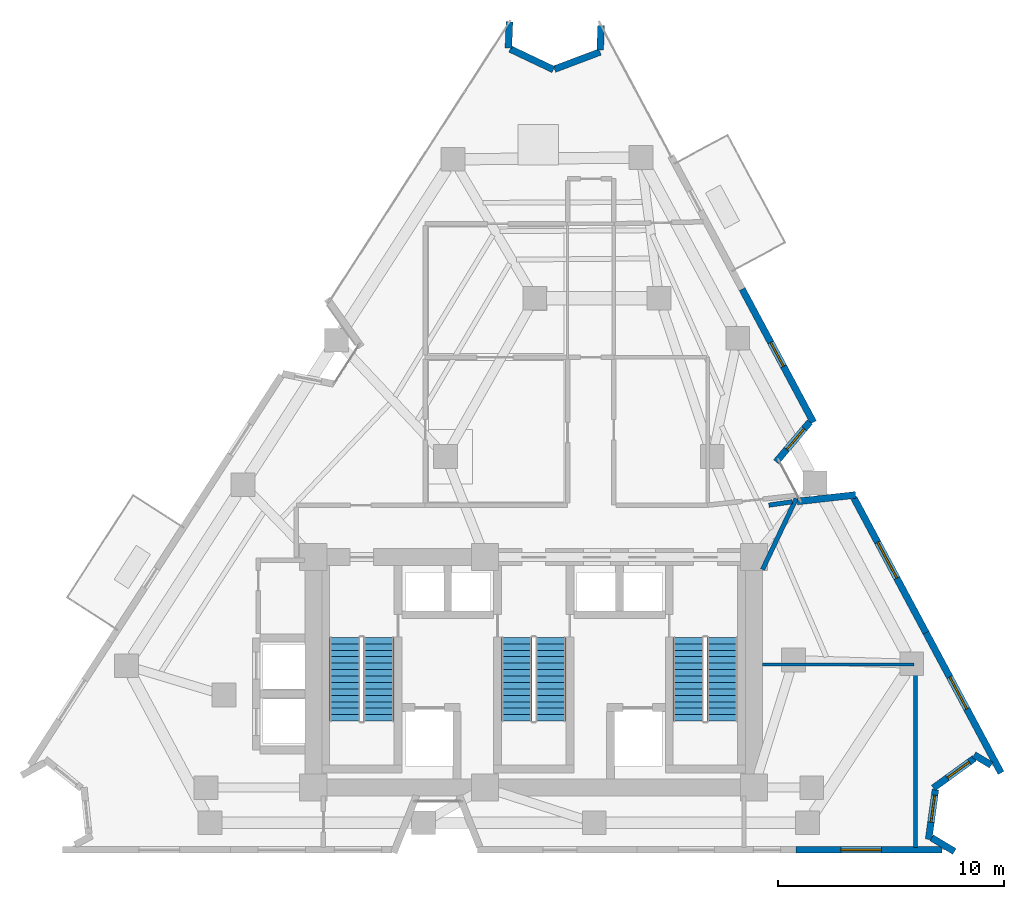
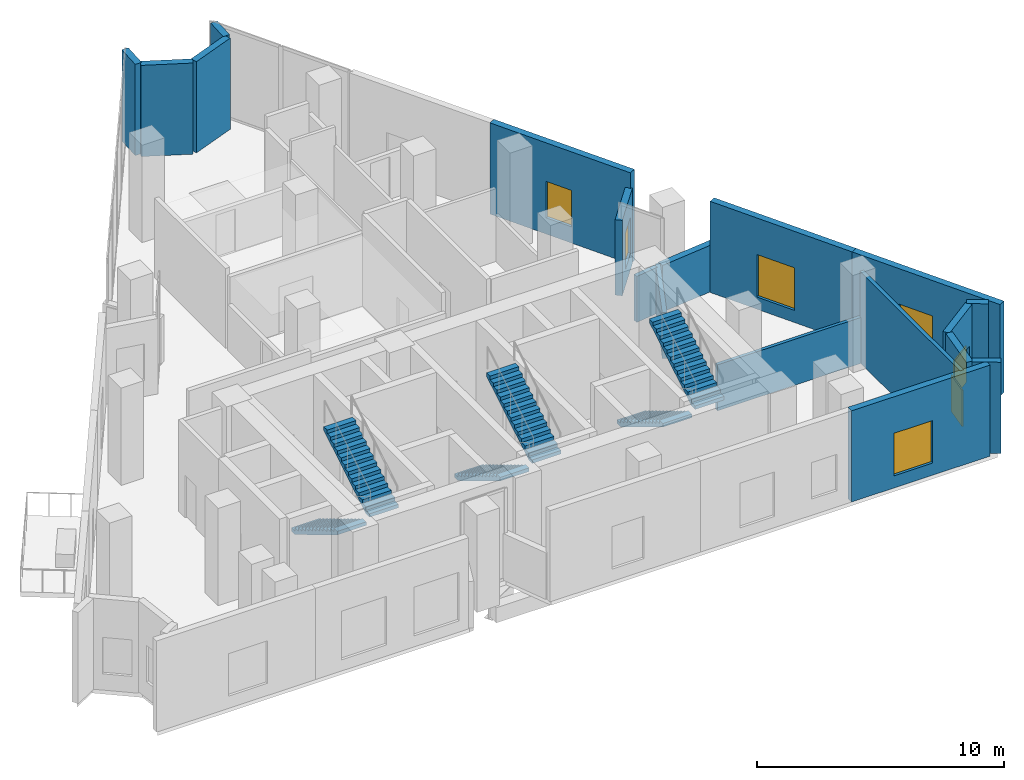
# One storey, part 8 of 10: 18 walls, 7 windows, 6 stair flights, 7 openings, 3 elements without a shape of their own.
"""IFC4 building model written with IfcOpenShell, lengths in metres."""

from ifc_helpers import new_model, si_unit, direction, frame, frame_2d, origin, place, context, subcontext, project, spatial, polyline, rectangle, outline, extrude, material, layer, layer_set, type_object, element, fill, aggregate, save


model = new_model("IFC4")

# Units and contexts
model_context = context("Model", 3, precision=1e-05, world=origin(), true_north=direction((0.0, 1.0)))
body_context = subcontext(model_context, "Body", "Model", "MODEL_VIEW")
ifc_project = project(units=[si_unit("LENGTHUNIT", "METRE"), si_unit("AREAUNIT", "SQUARE_METRE"), si_unit("VOLUMEUNIT", "CUBIC_METRE"), si_unit("PLANEANGLEUNIT", "RADIAN"), si_unit("MASSUNIT", "GRAM", prefix="KILO")], contexts=[model_context])

# Site, building, storey
site_placement = place(None, origin())
site = spatial("IfcSite", under=ifc_project, at=site_placement, CompositionType="ELEMENT")
building_placement = place(site_placement, origin())
building = spatial("IfcBuilding", under=site, at=building_placement, Name="Almagre Mirador Tower", CompositionType="ELEMENT")
storey_placement = place(building_placement, frame((0.0, 0.0, 196.800048828125)))
storey = spatial("IfcBuildingStorey", under=building, at=storey_placement, Name="L51", CompositionType="ELEMENT", Elevation=196.800048828125)

# Walls
ifc_material_1 = material(Name="Precast concrete C50/60", Category="concrete")
ifc_layer_1 = layer(ifc_material_1, 0.300048828125)
ifc_layer_set_1 = layer_set([ifc_layer_1], Name="Precast concrete C50/60")
wall_type_1 = type_object("IfcWallType", Name="WAL-EXT-300", PredefinedType="SOLIDWALL", material=ifc_layer_set_1)
wall_1_placement = place(storey_placement, frame((36.23193359375, 38.43896484375, 0.0), z_axis=(0.0, 0.0, 1.0), x_axis=(-0.040901417008, -0.999163186915, 0.0)))
element("IfcWall", 1, at=wall_1_placement, inside=storey, type_object=wall_type_1, Name="L51 expressed almagre precast frame wall 03", PredefinedType="SOLIDWALL", context=body_context, shape_type="SweptSolid", body=[
    extrude(rectangle(XDim=1.169921875, YDim=0.300048828125, at=frame_2d((0.5849609375, 0.0))), origin(), (0.0, 0.0, 1.0), 4.5),
])
wall_2_placement = place(storey_placement, frame((36.2607421875, 37.233642578125, 0.0), z_axis=(0.0, 0.0, 1.0), x_axis=(0.903472681079, -0.428645674822, 0.0)))
element("IfcWall", 2, at=wall_2_placement, inside=storey, type_object=wall_type_1, Name="L51 expressed almagre precast frame wall 04", PredefinedType="SOLIDWALL", context=body_context, shape_type="SweptSolid", body=[
    extrude(rectangle(XDim=2.119873046875, YDim=0.300048828125, at=frame_2d((1.06005859375, 0.0))), origin(), (0.0, 0.0, 1.0), 4.5),
])
wall_3_placement = place(storey_placement, frame((38.222900390625, 36.3427734375, 0.0), z_axis=(0.0, 0.0, 1.0), x_axis=(0.93553533217, 0.353233127356, 0.0)))
element("IfcWall", 3, at=wall_3_placement, inside=storey, type_object=wall_type_1, Name="L51 expressed almagre precast frame wall 05", PredefinedType="SOLIDWALL", context=body_context, shape_type="SweptSolid", body=[
    extrude(rectangle(XDim=2.155029296875, YDim=0.300048828125, at=frame_2d((1.07763671875, 0.0))), origin(), (0.0, 0.0, 1.0), 4.5),
])
wall_4_placement = place(storey_placement, frame((40.242431640625, 37.18896484375, 0.0), z_axis=(0.0, 0.0, 1.0), x_axis=(0.041181252188, 0.999151692421, 0.0)))
element("IfcWall", 4, at=wall_4_placement, inside=storey, type_object=wall_type_1, Name="L51 expressed almagre precast frame wall 06", PredefinedType="SOLIDWALL", context=body_context, shape_type="SweptSolid", body=[
    extrude(rectangle(XDim=1.0849609375, YDim=0.300048828125, at=frame_2d((0.54248046875, 0.0))), origin(), (0.0, 0.0, 1.0), 4.5),
])

# Wall, opening, window
wall_5_placement = place(storey_placement, frame((46.527099609375, 26.60986328125, 0.0), z_axis=(0.0, 0.0, 1.0), x_axis=(0.471721602778, -0.881747542935, 0.0)))
wall_5 = element("IfcWall", 5, at=wall_5_placement, inside=storey, type_object=wall_type_1, Name="L51 expressed almagre precast frame wall 08", PredefinedType="SOLIDWALL", context=body_context, shape_type="SweptSolid", body=[
    extrude(rectangle(XDim=6.68359375, YDim=0.300048828125, at=frame_2d((3.341796875, 0.0))), origin(), (0.0, 0.0, 1.0), 4.5),
])
opening_1_placement = place(wall_5_placement, frame((2.675048828125, 0.0, 0.800048828125)))
opening_1 = element("IfcOpeningElement", 6, at=opening_1_placement, cuts=wall_5, Name="Opening WN-04", PredefinedType="OPENING", context=body_context, shape_type="SweptSolid", body=[
    extrude(rectangle(XDim=1.199951171875, YDim=1.800048828125, at=frame_2d((0.60009765625, 0.89990234375))), frame((0.0, 0.159902, 0.0), z_axis=(0.0, -1.0, 0.0), x_axis=(1.0, 0.0, 0.0)), (0.0, 0.0, 1.0), 0.320049),
])
ifc_material_2 = material(Name="Dark solar-control laminated hurricane glass", Category="glass")
window_type_1 = type_object("IfcWindowType", Name="WIN-1200X1800", PartitioningType="SINGLE_PANEL", PredefinedType="WINDOW", material=ifc_material_2)
window_1_placement = place(opening_1_placement, origin())
window_1 = element("IfcWindow", 7, at=window_1_placement, inside=storey, type_object=window_type_1, Name="L51 recessed hurricane window L51-SCAF-3", OverallHeight=1.800048828125, OverallWidth=1.199951171875, PartitioningType="SINGLE_PANEL", PredefinedType="WINDOW", context=body_context, shape_type="SweptSolid", body=[
    extrude(rectangle(XDim=1.199951171875, YDim=1.800048828125, at=frame_2d((0.60009765625, 0.89990234375))), frame((0.0, 0.030029296875, 0.0), z_axis=(0.0, -1.0, 0.0), x_axis=(1.0, 0.0, 0.0)), (0.0, 0.0, 1.0), 0.06005859375),
])
fill(opening_1, window_1)

wall_6_placement = place(storey_placement, frame((49.523681640625, 20.733154296875, 0.0), z_axis=(0.0, 0.0, 1.0), x_axis=(-0.645152076947, -0.764054184996, 0.0)))
wall_6 = element("IfcWall", 8, at=wall_6_placement, inside=storey, type_object=wall_type_1, Name="L51 expressed almagre precast frame wall 09", PredefinedType="SOLIDWALL", context=body_context, shape_type="SweptSolid", body=[
    extrude(rectangle(XDim=2.31396484375, YDim=0.300048828125, at=frame_2d((1.156982421875, 0.0))), origin(), (0.0, 0.0, 1.0), 3.724853515625),
])
opening_2_placement = place(wall_6_placement, frame((0.39501953125, 0.0, 0.800048828125)))
opening_2 = element("IfcOpeningElement", 9, at=opening_2_placement, cuts=wall_6, Name="Opening WN-04", PredefinedType="OPENING", context=body_context, shape_type="SweptSolid", body=[
    extrude(rectangle(XDim=1.199951171875, YDim=1.800048828125, at=frame_2d((0.60009765625, 0.89990234375))), frame((0.0, 0.159902, 0.0), z_axis=(0.0, -1.0, 0.0), x_axis=(1.0, 0.0, 0.0)), (0.0, 0.0, 1.0), 0.320049),
])
window_2_placement = place(opening_2_placement, origin())
window_2 = element("IfcWindow", 10, at=window_2_placement, inside=storey, type_object=window_type_1, Name="L51 recessed hurricane window L51-SCAF-3", OverallHeight=1.800048828125, OverallWidth=1.199951171875, PartitioningType="SINGLE_PANEL", PredefinedType="WINDOW", context=body_context, shape_type="SweptSolid", body=[
    extrude(rectangle(XDim=1.199951171875, YDim=1.800048828125, at=frame_2d((0.60009765625, 0.89990234375))), frame((0.0, 0.030029296875, 0.0), z_axis=(0.0, -1.0, 0.0), x_axis=(1.0, 0.0, 0.0)), (0.0, 0.0, 1.0), 0.06005859375),
])
fill(opening_2, window_2)

# Wall
wall_7_placement = place(storey_placement, frame((48.968017578125, 17.21337890625, 0.0), z_axis=(0.0, 0.0, 1.0), x_axis=(0.993674192695, 0.112301374752, 0.0)))
element("IfcWall", 11, at=wall_7_placement, inside=storey, type_object=wall_type_1, Name="L51 expressed almagre precast frame wall 10", PredefinedType="SOLIDWALL", context=body_context, shape_type="SweptSolid", body=[
    extrude(rectangle(XDim=2.593505859375, YDim=0.300048828125, at=frame_2d((1.296875, 0.0))), origin(), (0.0, 0.0, 1.0), 2.300048828125),
])

# Wall, opening, window
wall_8_placement = place(storey_placement, frame((51.4697265625, 17.369873046875, 0.0), z_axis=(0.0, 0.0, 1.0), x_axis=(0.471740390208, -0.881737491687, 0.0)))
wall_8 = element("IfcWall", 12, at=wall_8_placement, inside=storey, type_object=wall_type_1, Name="L51 expressed almagre precast frame wall 11", PredefinedType="SOLIDWALL", context=body_context, shape_type="SweptSolid", body=[
    extrude(rectangle(XDim=6.761474609375, YDim=0.300048828125, at=frame_2d((3.380859375, 0.0))), origin(), (0.0, 0.0, 1.0), 4.5),
])
opening_3_placement = place(wall_8_placement, frame((2.22509765625, 0.0, 0.60009765625)))
opening_3 = element("IfcOpeningElement", 13, at=opening_3_placement, cuts=wall_8, Name="Opening WN-01", PredefinedType="OPENING", context=body_context, shape_type="SweptSolid", body=[
    extrude(rectangle(XDim=1.800048828125, YDim=2.10009765625, at=frame_2d((0.89990234375, 1.050048828125))), frame((0.0, 0.159902, 0.0), z_axis=(0.0, -1.0, 0.0), x_axis=(1.0, 0.0, 0.0)), (0.0, 0.0, 1.0), 0.320049),
])
ifc_material_3 = material(Name="Dark solar-control laminated hurricane glass", Category="glass")
window_type_2 = type_object("IfcWindowType", Name="WIN-1800X2100", PartitioningType="DOUBLE_PANEL_VERTICAL", PredefinedType="WINDOW", material=ifc_material_3)
window_3_placement = place(opening_3_placement, origin())
window_3 = element("IfcWindow", 14, at=window_3_placement, inside=storey, type_object=window_type_2, Name="L51 recessed hurricane window L51-SCAF-3", OverallHeight=2.10009765625, OverallWidth=1.800048828125, PartitioningType="SINGLE_PANEL", PredefinedType="WINDOW", context=body_context, shape_type="SweptSolid", body=[
    extrude(rectangle(XDim=1.800048828125, YDim=2.10009765625, at=frame_2d((0.89990234375, 1.050048828125))), frame((0.0, 0.030029296875, 0.0), z_axis=(0.0, -1.0, 0.0), x_axis=(1.0, 0.0, 0.0)), (0.0, 0.0, 1.0), 0.06005859375),
])
fill(opening_3, window_3)

wall_9_placement = place(storey_placement, frame((54.659423828125, 11.407958984375, 0.0), z_axis=(0.0, 0.0, 1.0), x_axis=(0.471760157183, -0.881726915827, 0.0)))
wall_9 = element("IfcWall", 15, at=wall_9_placement, inside=storey, type_object=wall_type_1, Name="L51 expressed almagre precast frame wall 12", PredefinedType="SOLIDWALL", context=body_context, shape_type="SweptSolid", body=[
    extrude(rectangle(XDim=7.03662109375, YDim=0.300048828125, at=frame_2d((3.518310546875, 0.0))), origin(), (0.0, 0.0, 1.0), 4.5),
])
opening_4_placement = place(wall_9_placement, frame((2.22509765625, 0.0, 0.550048828125)))
opening_4 = element("IfcOpeningElement", 16, at=opening_4_placement, cuts=wall_9, Name="Opening WN-06", PredefinedType="OPENING", context=body_context, shape_type="SweptSolid", body=[
    extrude(rectangle(XDim=1.60009765625, YDim=2.199951171875, at=frame_2d((0.800048828125, 1.10009765625))), frame((0.0, 0.159902, 0.0), z_axis=(0.0, -1.0, 0.0), x_axis=(1.0, 0.0, 0.0)), (0.0, 0.0, 1.0), 0.320049),
])
ifc_material_4 = material(Name="Dark solar-control laminated hurricane glass", Category="glass")
window_type_3 = type_object("IfcWindowType", Name="WIN-1600X2200", PartitioningType="DOUBLE_PANEL_VERTICAL", PredefinedType="WINDOW", material=ifc_material_4)
window_4_placement = place(opening_4_placement, origin())
window_4 = element("IfcWindow", 17, at=window_4_placement, inside=storey, type_object=window_type_3, Name="L51 recessed hurricane window L51-SCAF-3", OverallHeight=2.199951171875, OverallWidth=1.60009765625, PartitioningType="SINGLE_PANEL", PredefinedType="WINDOW", context=body_context, shape_type="SweptSolid", body=[
    extrude(rectangle(XDim=1.60009765625, YDim=2.199951171875, at=frame_2d((0.800048828125, 1.10009765625))), frame((0.0, 0.030029296875, 0.0), z_axis=(0.0, -1.0, 0.0), x_axis=(1.0, 0.0, 0.0)), (0.0, 0.0, 1.0), 0.06005859375),
])
fill(opening_4, window_4)

# Wall
wall_10_placement = place(storey_placement, frame((57.5439453125, 5.5478515625, 0.0), z_axis=(0.0, 0.0, 1.0), x_axis=(-0.857957606383, 0.513720493702, 0.0)))
element("IfcWall", 18, at=wall_10_placement, inside=storey, type_object=wall_type_1, Name="L51 expressed almagre precast frame wall 13", PredefinedType="SOLIDWALL", context=body_context, shape_type="SweptSolid", body=[
    extrude(rectangle(XDim=0.880126953125, YDim=0.300048828125, at=frame_2d((0.43994140625, 0.0))), origin(), (0.0, 0.0, 1.0), 4.5),
])

# Wall, opening, window
wall_11_placement = place(storey_placement, frame((56.7998046875, 5.848876953125, 0.0), z_axis=(0.0, 0.0, 1.0), x_axis=(-0.809635036496, -0.586933648446, 0.0)))
wall_11 = element("IfcWall", 19, at=wall_11_placement, inside=storey, type_object=wall_type_1, Name="L51 expressed almagre precast frame wall 14", PredefinedType="SOLIDWALL", context=body_context, shape_type="SweptSolid", body=[
    extrude(rectangle(XDim=2.24072265625, YDim=0.300048828125, at=frame_2d((1.120361328125, 0.0))), origin(), (0.0, 0.0, 1.0), 4.5),
])
opening_5_placement = place(wall_11_placement, frame((0.27490234375, 0.0, 0.800048828125)))
opening_5 = element("IfcOpeningElement", 20, at=opening_5_placement, cuts=wall_11, Name="Opening WN-04", PredefinedType="OPENING", context=body_context, shape_type="SweptSolid", body=[
    extrude(rectangle(XDim=1.199951171875, YDim=1.800048828125, at=frame_2d((0.60009765625, 0.89990234375))), frame((0.0, 0.159902, 0.0), z_axis=(0.0, -1.0, 0.0), x_axis=(1.0, 0.0, 0.0)), (0.0, 0.0, 1.0), 0.320049),
])
window_5_placement = place(opening_5_placement, origin())
window_5 = element("IfcWindow", 21, at=window_5_placement, inside=storey, type_object=window_type_1, Name="L51 recessed hurricane window L51-SCAF-3", OverallHeight=1.800048828125, OverallWidth=1.199951171875, PartitioningType="SINGLE_PANEL", PredefinedType="WINDOW", context=body_context, shape_type="SweptSolid", body=[
    extrude(rectangle(XDim=1.199951171875, YDim=1.800048828125, at=frame_2d((0.60009765625, 0.89990234375))), frame((0.0, 0.030029296875, 0.0), z_axis=(0.0, -1.0, 0.0), x_axis=(1.0, 0.0, 0.0)), (0.0, 0.0, 1.0), 0.06005859375),
])
fill(opening_5, window_5)

wall_12_placement = place(storey_placement, frame((55.07861328125, 4.46728515625, 0.0), z_axis=(0.0, 0.0, 1.0), x_axis=(-0.135475439613, -0.99078070493, 0.0)))
wall_12 = element("IfcWall", 22, at=wall_12_placement, inside=storey, type_object=wall_type_1, Name="L51 expressed almagre precast frame wall 15", PredefinedType="SOLIDWALL", context=body_context, shape_type="SweptSolid", body=[
    extrude(rectangle(XDim=2.2255859375, YDim=0.300048828125, at=frame_2d((1.11279296875, 0.0))), origin(), (0.0, 0.0, 1.0), 4.5),
])
opening_6_placement = place(wall_12_placement, frame((0.260009765625, 0.0, 0.800048828125)))
opening_6 = element("IfcOpeningElement", 23, at=opening_6_placement, cuts=wall_12, Name="Opening WN-04", PredefinedType="OPENING", context=body_context, shape_type="SweptSolid", body=[
    extrude(rectangle(XDim=1.199951171875, YDim=1.800048828125, at=frame_2d((0.60009765625, 0.89990234375))), frame((0.0, 0.159902, 0.0), z_axis=(0.0, -1.0, 0.0), x_axis=(1.0, 0.0, 0.0)), (0.0, 0.0, 1.0), 0.320049),
])
window_6_placement = place(opening_6_placement, origin())
window_6 = element("IfcWindow", 24, at=window_6_placement, inside=storey, type_object=window_type_1, Name="L51 recessed hurricane window L51-SCAF-3", OverallHeight=1.800048828125, OverallWidth=1.199951171875, PartitioningType="SINGLE_PANEL", PredefinedType="WINDOW", context=body_context, shape_type="SweptSolid", body=[
    extrude(rectangle(XDim=1.199951171875, YDim=1.800048828125, at=frame_2d((0.60009765625, 0.89990234375))), frame((0.0, 0.030029296875, 0.0), z_axis=(0.0, -1.0, 0.0), x_axis=(1.0, 0.0, 0.0)), (0.0, 0.0, 1.0), 0.06005859375),
])
fill(opening_6, window_6)

# Wall
wall_13_placement = place(storey_placement, frame((54.911865234375, 2.331787109375, 0.0), z_axis=(0.0, 0.0, 1.0), x_axis=(0.857950827386, -0.513731815043, 0.0)))
element("IfcWall", 25, at=wall_13_placement, inside=storey, type_object=wall_type_1, Name="L51 expressed almagre precast frame wall 16", PredefinedType="SOLIDWALL", context=body_context, shape_type="SweptSolid", body=[
    extrude(rectangle(XDim=1.17529296875, YDim=0.300048828125, at=frame_2d((0.587646484375, 0.0))), origin(), (0.0, 0.0, 1.0), 4.5),
])

# Wall, opening, window
wall_14_placement = place(storey_placement, frame((55.3701171875, 1.800048828125, 0.0), z_axis=(0.0, 0.0, 1.0), x_axis=(-1.0, 0.0, 0.0)))
wall_14 = element("IfcWall", 26, at=wall_14_placement, inside=storey, type_object=wall_type_1, Name="L51 expressed almagre precast frame wall 17", PredefinedType="SOLIDWALL", context=body_context, shape_type="SweptSolid", body=[
    extrude(rectangle(XDim=6.46875, YDim=0.300048828125, at=frame_2d((3.234375, 0.0))), origin(), (0.0, 0.0, 1.0), 4.5),
])
opening_7_placement = place(wall_14_placement, frame((2.679931640625, 0.0, 0.60009765625)))
opening_7 = element("IfcOpeningElement", 27, at=opening_7_placement, cuts=wall_14, Name="Opening WN-01", PredefinedType="OPENING", context=body_context, shape_type="SweptSolid", body=[
    extrude(rectangle(XDim=1.800048828125, YDim=2.10009765625, at=frame_2d((0.89990234375, 1.050048828125))), frame((0.0, 0.159902, 0.0), z_axis=(0.0, -1.0, 0.0), x_axis=(1.0, 0.0, 0.0)), (0.0, 0.0, 1.0), 0.320049),
])
window_7_placement = place(opening_7_placement, origin())
window_7 = element("IfcWindow", 28, at=window_7_placement, inside=storey, type_object=window_type_2, Name="L51 recessed hurricane window L51-SCAF-2", OverallHeight=2.10009765625, OverallWidth=1.800048828125, PartitioningType="SINGLE_PANEL", PredefinedType="WINDOW", context=body_context, shape_type="SweptSolid", body=[
    extrude(rectangle(XDim=1.800048828125, YDim=2.10009765625, at=frame_2d((0.89990234375, 1.050048828125))), frame((0.0, 0.030029296875, 0.0), z_axis=(0.0, -1.0, 0.0), x_axis=(1.0, 0.0, 0.0)), (0.0, 0.0, 1.0), 0.06005859375),
])
fill(opening_7, window_7)

# Walls
ifc_material_5 = material(Name="Gypsum acoustic stud partition", Category="other")
ifc_layer_2 = layer(ifc_material_5, 0.14990234375)
ifc_layer_set_2 = layer_set([ifc_layer_2], Name="Gypsum acoustic stud partition")
wall_type_2 = type_object("IfcWallType", Name="WAL-PRT-150-STD", PredefinedType="PARTITIONING", material=ifc_layer_set_2)
wall_15_placement = place(storey_placement, frame((54.12744140625, 10.0, 0.0), z_axis=(0.0, 0.0, 1.0), x_axis=(-1.0, 0.0, 0.0)))
element("IfcWall", 29, at=wall_15_placement, inside=storey, type_object=wall_type_2, Name="L51 interior partition 025", PredefinedType="PARTITIONING", context=body_context, shape_type="SweptSolid", body=[
    extrude(rectangle(XDim=6.702392578125, YDim=0.14990234375, at=frame_2d((3.35107421875, 0.0))), origin(), (0.0, 0.0, 1.0), 2.27001953125),
])
ifc_material_6 = material(Name="Gypsum acoustic stud partition", Category="other")
ifc_layer_3 = layer(ifc_material_6, 0.175048828125)
ifc_layer_set_3 = layer_set([ifc_layer_3], Name="Gypsum acoustic stud partition")
wall_type_3 = type_object("IfcWallType", Name="WAL-PRT-175-AC", PredefinedType="PARTITIONING", material=ifc_layer_set_3)
wall_16_placement = place(storey_placement, frame((54.199951171875, 1.89990234375, 0.0), z_axis=(0.0, 0.0, 1.0), x_axis=(0.0, 1.0, 0.0)))
element("IfcWall", 30, at=wall_16_placement, inside=storey, type_object=wall_type_3, Name="L51 interior partition 024", PredefinedType="PARTITIONING", context=body_context, shape_type="SweptSolid", body=[
    extrude(rectangle(XDim=8.10009765625, YDim=0.175048828125, at=frame_2d((4.050048828125, 0.0))), origin(), (0.0, 0.0, 1.0), 4.5),
])
ifc_material_7 = material(Name="Gypsum acoustic stud partition", Category="other")
ifc_layer_4 = layer(ifc_material_7, 0.199951171875)
ifc_layer_set_4 = layer_set([ifc_layer_4], Name="Gypsum acoustic stud partition")
wall_type_4 = type_object("IfcWallType", Name="WAL-PRT-200-EI60", PredefinedType="PARTITIONING", material=ifc_layer_set_4)
wall_17_placement = place(storey_placement, frame((47.425048828125, 14.199951171875, 0.0), z_axis=(0.0, 0.0, 1.0), x_axis=(0.429753494136, 0.902946252154, 0.0)))
element("IfcWall", 31, at=wall_17_placement, inside=storey, type_object=wall_type_4, Name="L51 interior partition 020", PredefinedType="PARTITIONING", context=body_context, shape_type="SweptSolid", body=[
    extrude(rectangle(XDim=3.473388671875, YDim=0.199951171875, at=frame_2d((1.73681640625, 0.0))), origin(), (0.0, 0.0, 1.0), 2.27001953125),
])
wall_18_placement = place(storey_placement, frame((48.744873046875, 17.20166015625, 0.0), z_axis=(0.0, 0.0, 1.0), x_axis=(-0.989517062941, -0.144416003781, 0.0)))
element("IfcWall", 32, at=wall_18_placement, inside=storey, type_object=wall_type_4, Name="L51 interior partition 027", PredefinedType="PARTITIONING", context=body_context, shape_type="SweptSolid", body=[
    extrude(rectangle(XDim=1.0498046875, YDim=0.199951171875, at=frame_2d((0.52490234375, 0.0))), origin(), (0.0, 0.0, 1.0), 2.27001953125),
])

# Stair, stair flights
ifc_material_8 = material(Name="Concrete C45/55", Category="concrete")
stair_type = type_object("IfcStairType", Name="STR-DL-4800", PredefinedType="HALF_TURN_STAIR", material=ifc_material_8)
stair_1_placement = place(storey_placement, origin())
stair_1 = element("IfcStair", 33, at=stair_1_placement, inside=storey, type_object=stair_type, Name="L51 Protected exit stair ST-1", PredefinedType="HALF_TURN_STAIR")
ifc_material_9 = material(Name="Concrete C45/55", Category="concrete")
stair_flight_type = type_object("IfcStairFlightType", Name="FLT-DL-4800", PredefinedType="STRAIGHT", material=ifc_material_9)
stair_flight_1_placement = place(storey_placement, frame((28.949951171875, 11.199951171875, 0.0), z_axis=(0.0, 0.0, 1.0), x_axis=(0.0, -1.0, 0.0)))
stair_flight_1 = element("IfcStairFlight", 34, at=stair_flight_1_placement, type_object=stair_flight_type, Name="ST-1 flight 1", NumberOfRisers=14, NumberOfTreads=13, PredefinedType="STRAIGHT", RiserHeight=0.171428571, TreadLength=0.285, context=body_context, shape_type="SweptSolid", body=[
    extrude(outline(polyline([(0.0, 0.0), (0.0, 0.17138671875), (0.284912109375, 0.17138671875), (0.284912109375, 0.3427734375), (0.570068359375, 0.3427734375), (0.570068359375, 0.514404296875), (0.85498046875, 0.514404296875), (0.85498046875, 0.685791015625), (1.139892578125, 0.685791015625), (1.139892578125, 0.857177734375), (1.425048828125, 0.857177734375), (1.425048828125, 1.028564453125), (1.7099609375, 1.028564453125), (1.7099609375, 1.199951171875), (1.9951171875, 1.199951171875), (1.9951171875, 1.371337890625), (2.280029296875, 1.371337890625), (2.280029296875, 1.54296875), (2.56494140625, 1.54296875), (2.56494140625, 1.71435546875), (2.85009765625, 1.71435546875), (2.85009765625, 1.8857421875), (3.135009765625, 1.8857421875), (3.135009765625, 2.05712890625), (3.419921875, 2.05712890625), (3.419921875, 2.228515625), (3.705078125, 2.228515625), (3.705078125, 2.39990234375), (3.705078125, 2.0537109375), (0.290771484375, 0.0), (0.0, 0.0)])), frame((0.0, 0.675048828125, 0.0), z_axis=(0.0, -1.0, 0.0), x_axis=(1.0, 0.0, 0.0)), (0.0, 0.0, 1.0), 1.35009765625),
])
stair_flight_2_placement = place(storey_placement, frame((30.449951171875, 7.4951171875, 2.39990234375), z_axis=(0.0, 0.0, 1.0), x_axis=(0.0, 1.0, 0.0)))
stair_flight_2 = element("IfcStairFlight", 35, at=stair_flight_2_placement, type_object=stair_flight_type, Name="ST-1 flight 2", NumberOfRisers=14, NumberOfTreads=13, PredefinedType="STRAIGHT", RiserHeight=0.171428571, TreadLength=0.285, context=body_context, shape_type="SweptSolid", body=[
    extrude(outline(polyline([(0.0, 0.0), (0.0, 0.17138671875), (0.284912109375, 0.17138671875), (0.284912109375, 0.3427734375), (0.570068359375, 0.3427734375), (0.570068359375, 0.514404296875), (0.85498046875, 0.514404296875), (0.85498046875, 0.685791015625), (1.139892578125, 0.685791015625), (1.139892578125, 0.857177734375), (1.425048828125, 0.857177734375), (1.425048828125, 1.028564453125), (1.7099609375, 1.028564453125), (1.7099609375, 1.199951171875), (1.9951171875, 1.199951171875), (1.9951171875, 1.371337890625), (2.280029296875, 1.371337890625), (2.280029296875, 1.54296875), (2.56494140625, 1.54296875), (2.56494140625, 1.71435546875), (2.85009765625, 1.71435546875), (2.85009765625, 1.8857421875), (3.135009765625, 1.8857421875), (3.135009765625, 2.05712890625), (3.419921875, 2.05712890625), (3.419921875, 2.228515625), (3.705078125, 2.228515625), (3.705078125, 2.39990234375), (3.705078125, 2.0537109375), (0.290771484375, 0.0), (0.0, 0.0)])), frame((0.0, 0.675048828125, 0.0), z_axis=(0.0, -1.0, 0.0), x_axis=(1.0, 0.0, 0.0)), (0.0, 0.0, 1.0), 1.35009765625),
])
aggregate(stair_1, [stair_flight_1, stair_flight_2])

stair_2_placement = place(storey_placement, origin())
stair_2 = element("IfcStair", 36, at=stair_2_placement, inside=storey, type_object=stair_type, Name="L51 Protected exit stair ST-2", PredefinedType="HALF_TURN_STAIR")
stair_flight_3_placement = place(storey_placement, frame((36.550048828125, 11.199951171875, 0.0), z_axis=(0.0, 0.0, 1.0), x_axis=(0.0, -1.0, 0.0)))
stair_flight_3 = element("IfcStairFlight", 37, at=stair_flight_3_placement, type_object=stair_flight_type, Name="ST-2 flight 1", NumberOfRisers=14, NumberOfTreads=13, PredefinedType="STRAIGHT", RiserHeight=0.171428571, TreadLength=0.285, context=body_context, shape_type="SweptSolid", body=[
    extrude(outline(polyline([(0.0, 0.0), (0.0, 0.17138671875), (0.284912109375, 0.17138671875), (0.284912109375, 0.3427734375), (0.570068359375, 0.3427734375), (0.570068359375, 0.514404296875), (0.85498046875, 0.514404296875), (0.85498046875, 0.685791015625), (1.139892578125, 0.685791015625), (1.139892578125, 0.857177734375), (1.425048828125, 0.857177734375), (1.425048828125, 1.028564453125), (1.7099609375, 1.028564453125), (1.7099609375, 1.199951171875), (1.9951171875, 1.199951171875), (1.9951171875, 1.371337890625), (2.280029296875, 1.371337890625), (2.280029296875, 1.54296875), (2.56494140625, 1.54296875), (2.56494140625, 1.71435546875), (2.85009765625, 1.71435546875), (2.85009765625, 1.8857421875), (3.135009765625, 1.8857421875), (3.135009765625, 2.05712890625), (3.419921875, 2.05712890625), (3.419921875, 2.228515625), (3.705078125, 2.228515625), (3.705078125, 2.39990234375), (3.705078125, 2.0537109375), (0.290771484375, 0.0), (0.0, 0.0)])), frame((0.0, 0.675048828125, 0.0), z_axis=(0.0, -1.0, 0.0), x_axis=(1.0, 0.0, 0.0)), (0.0, 0.0, 1.0), 1.35009765625),
])
stair_flight_4_placement = place(storey_placement, frame((38.050048828125, 7.4951171875, 2.39990234375), z_axis=(0.0, 0.0, 1.0), x_axis=(0.0, 1.0, 0.0)))
stair_flight_4 = element("IfcStairFlight", 38, at=stair_flight_4_placement, type_object=stair_flight_type, Name="ST-2 flight 2", NumberOfRisers=14, NumberOfTreads=13, PredefinedType="STRAIGHT", RiserHeight=0.171428571, TreadLength=0.285, context=body_context, shape_type="SweptSolid", body=[
    extrude(outline(polyline([(0.0, 0.0), (0.0, 0.17138671875), (0.284912109375, 0.17138671875), (0.284912109375, 0.3427734375), (0.570068359375, 0.3427734375), (0.570068359375, 0.514404296875), (0.85498046875, 0.514404296875), (0.85498046875, 0.685791015625), (1.139892578125, 0.685791015625), (1.139892578125, 0.857177734375), (1.425048828125, 0.857177734375), (1.425048828125, 1.028564453125), (1.7099609375, 1.028564453125), (1.7099609375, 1.199951171875), (1.9951171875, 1.199951171875), (1.9951171875, 1.371337890625), (2.280029296875, 1.371337890625), (2.280029296875, 1.54296875), (2.56494140625, 1.54296875), (2.56494140625, 1.71435546875), (2.85009765625, 1.71435546875), (2.85009765625, 1.8857421875), (3.135009765625, 1.8857421875), (3.135009765625, 2.05712890625), (3.419921875, 2.05712890625), (3.419921875, 2.228515625), (3.705078125, 2.228515625), (3.705078125, 2.39990234375), (3.705078125, 2.0537109375), (0.290771484375, 0.0), (0.0, 0.0)])), frame((0.0, 0.675048828125, 0.0), z_axis=(0.0, -1.0, 0.0), x_axis=(1.0, 0.0, 0.0)), (0.0, 0.0, 1.0), 1.35009765625),
])
aggregate(stair_2, [stair_flight_3, stair_flight_4])

stair_3_placement = place(storey_placement, origin())
stair_3 = element("IfcStair", 39, at=stair_3_placement, inside=storey, type_object=stair_type, Name="L51 Protected exit stair ST-3", PredefinedType="HALF_TURN_STAIR")
stair_flight_5_placement = place(storey_placement, frame((44.14990234375, 11.199951171875, 0.0), z_axis=(0.0, 0.0, 1.0), x_axis=(0.0, -1.0, 0.0)))
stair_flight_5 = element("IfcStairFlight", 40, at=stair_flight_5_placement, type_object=stair_flight_type, Name="ST-3 flight 1", NumberOfRisers=14, NumberOfTreads=13, PredefinedType="STRAIGHT", RiserHeight=0.171428571, TreadLength=0.285, context=body_context, shape_type="SweptSolid", body=[
    extrude(outline(polyline([(0.0, 0.0), (0.0, 0.17138671875), (0.284912109375, 0.17138671875), (0.284912109375, 0.3427734375), (0.570068359375, 0.3427734375), (0.570068359375, 0.514404296875), (0.85498046875, 0.514404296875), (0.85498046875, 0.685791015625), (1.139892578125, 0.685791015625), (1.139892578125, 0.857177734375), (1.425048828125, 0.857177734375), (1.425048828125, 1.028564453125), (1.7099609375, 1.028564453125), (1.7099609375, 1.199951171875), (1.9951171875, 1.199951171875), (1.9951171875, 1.371337890625), (2.280029296875, 1.371337890625), (2.280029296875, 1.54296875), (2.56494140625, 1.54296875), (2.56494140625, 1.71435546875), (2.85009765625, 1.71435546875), (2.85009765625, 1.8857421875), (3.135009765625, 1.8857421875), (3.135009765625, 2.05712890625), (3.419921875, 2.05712890625), (3.419921875, 2.228515625), (3.705078125, 2.228515625), (3.705078125, 2.39990234375), (3.705078125, 2.0537109375), (0.290771484375, 0.0), (0.0, 0.0)])), frame((0.0, 0.675048828125, 0.0), z_axis=(0.0, -1.0, 0.0), x_axis=(1.0, 0.0, 0.0)), (0.0, 0.0, 1.0), 1.35009765625),
])
stair_flight_6_placement = place(storey_placement, frame((45.64990234375, 7.4951171875, 2.39990234375), z_axis=(0.0, 0.0, 1.0), x_axis=(0.0, 1.0, 0.0)))
stair_flight_6 = element("IfcStairFlight", 41, at=stair_flight_6_placement, type_object=stair_flight_type, Name="ST-3 flight 2", NumberOfRisers=14, NumberOfTreads=13, PredefinedType="STRAIGHT", RiserHeight=0.171428571, TreadLength=0.285, context=body_context, shape_type="SweptSolid", body=[
    extrude(outline(polyline([(0.0, 0.0), (0.0, 0.17138671875), (0.284912109375, 0.17138671875), (0.284912109375, 0.3427734375), (0.570068359375, 0.3427734375), (0.570068359375, 0.514404296875), (0.85498046875, 0.514404296875), (0.85498046875, 0.685791015625), (1.139892578125, 0.685791015625), (1.139892578125, 0.857177734375), (1.425048828125, 0.857177734375), (1.425048828125, 1.028564453125), (1.7099609375, 1.028564453125), (1.7099609375, 1.199951171875), (1.9951171875, 1.199951171875), (1.9951171875, 1.371337890625), (2.280029296875, 1.371337890625), (2.280029296875, 1.54296875), (2.56494140625, 1.54296875), (2.56494140625, 1.71435546875), (2.85009765625, 1.71435546875), (2.85009765625, 1.8857421875), (3.135009765625, 1.8857421875), (3.135009765625, 2.05712890625), (3.419921875, 2.05712890625), (3.419921875, 2.228515625), (3.705078125, 2.228515625), (3.705078125, 2.39990234375), (3.705078125, 2.0537109375), (0.290771484375, 0.0), (0.0, 0.0)])), frame((0.0, 0.675048828125, 0.0), z_axis=(0.0, -1.0, 0.0), x_axis=(1.0, 0.0, 0.0)), (0.0, 0.0, 1.0), 1.35009765625),
])
aggregate(stair_3, [stair_flight_5, stair_flight_6])

save(model, "model.ifc")
